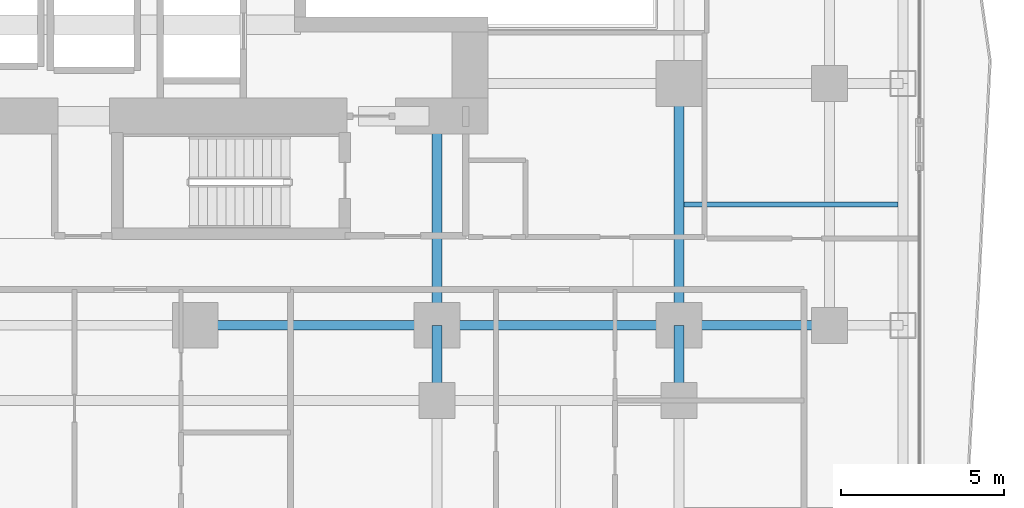
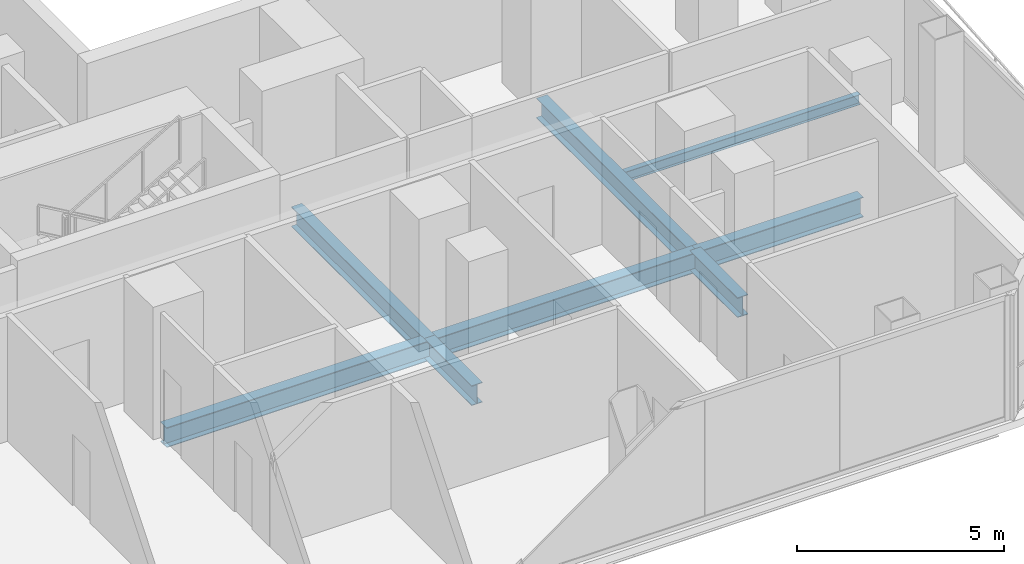
# One storey, part 9 of 29: 8 beams.
"""IFC4 building model written with IfcOpenShell, lengths in metres."""

import ifcopenshell
import ifcopenshell.guid

model = None  # the IFC model being written
_history = None  # IfcOwnerHistory: only IFC2X3 demands one
_inside = {}  # id of a spatial element -> (the spatial element, [elements in it])
_under = {}  # id of a project, library or spatial element -> (it, [spatial elements below it])
_declared = {}  # id of a project -> (the project, [libraries it declares])
_typed = {}  # id of a type object -> (the type object, [elements of that type])
_made_of = {}  # id of a material, layer set ... -> (it, [elements and type objects made of it])


def new_model(schema):
    """Start an empty IFC model of exactly this schema.

    Asked for "IFC4X3", IfcOpenShell would pick the latest addendum, in which some entities
    have other attributes; the version numbers below select the first issue.
    IFC2X3 requires an IfcOwnerHistory on every rooted entity: one is made here for all.
    """
    global model, _history
    if schema == "IFC4X3":
        model = ifcopenshell.file(schema_version=(4, 3, 0, 0))
    else:
        model = ifcopenshell.file(schema=schema)
    _inside.clear()
    _under.clear()
    _declared.clear()
    _typed.clear()
    _made_of.clear()
    _history = None
    if model.schema == "IFC2X3":
        org = make("IfcOrganization", Name="unknown")
        user = make(
            "IfcPersonAndOrganization",
            ThePerson=make("IfcPerson", FamilyName="unknown"),
            TheOrganization=org,
        )
        app = make(
            "IfcApplication",
            ApplicationDeveloper=org,
            Version="unknown",
            ApplicationFullName="unknown",
            ApplicationIdentifier="unknown",
        )
        _history = make(
            "IfcOwnerHistory",
            OwningUser=user,
            OwningApplication=app,
            ChangeAction="ADDED",
            CreationDate=0,
        )
    return model


def make(cls, **values):
    """One entity of the class cls with the attributes given. An attribute that is None is left unset."""
    return model.create_entity(
        cls, **{name: value for name, value in values.items() if value is not None}
    )


def rooted(cls, **values):
    """An entity with a GlobalId (a new one), such as an element, a storey or a relation."""
    return make(cls, GlobalId=ifcopenshell.guid.new(), OwnerHistory=_history, **values)


def si_unit(unit_type, name, prefix=None):
    """IfcSIUnit, for example si_unit("LENGTHUNIT", "METRE", prefix="MILLI")."""
    return make("IfcSIUnit", UnitType=unit_type, Prefix=prefix, Name=name)


def assignment(units):
    """IfcUnitAssignment: the units of a project."""
    return None if units is None else make("IfcUnitAssignment", Units=units)


def point(xyz):
    """IfcCartesianPoint."""
    return None if xyz is None else make("IfcCartesianPoint", Coordinates=xyz)


def direction(xyz):
    """IfcDirection."""
    return None if xyz is None else make("IfcDirection", DirectionRatios=xyz)


def frame(location, z_axis=None, x_axis=None):
    """IfcAxis2Placement3D, a coordinate frame: its origin and axes. An axis left out is left unset."""
    return make(
        "IfcAxis2Placement3D",
        Location=point(location),
        Axis=direction(z_axis),
        RefDirection=direction(x_axis),
    )


def frame_2d(location, x_axis=None):
    """IfcAxis2Placement2D, a coordinate frame in the plane: its origin and x axis."""
    return make(
        "IfcAxis2Placement2D", Location=point(location), RefDirection=direction(x_axis)
    )


def origin():
    """The frame at (0, 0, 0) with its axes left unset."""
    return frame((0.0, 0.0, 0.0))


def origin_2d():
    """The frame at (0, 0) in the plane with its x axis left unset."""
    return frame_2d((0.0, 0.0))


def place(relative_to, where):
    """IfcLocalPlacement: puts the frame where relative to a parent placement (None: the world)."""
    return make(
        "IfcLocalPlacement", PlacementRelTo=relative_to, RelativePlacement=where
    )


def context(
    kind, dimensions, precision=None, world=None, true_north=None, identifier=None
):
    """IfcGeometricRepresentationContext, for example the 3D "Model" context."""
    return make(
        "IfcGeometricRepresentationContext",
        ContextIdentifier=identifier,
        ContextType=kind,
        CoordinateSpaceDimension=dimensions,
        Precision=precision,
        WorldCoordinateSystem=world,
        TrueNorth=true_north,
    )


def subcontext(parent, identifier, kind, view, scale=None):
    """IfcGeometricRepresentationSubContext, for example "Body" below "Model"."""
    return make(
        "IfcGeometricRepresentationSubContext",
        ContextIdentifier=identifier,
        ContextType=kind,
        ParentContext=parent,
        TargetScale=scale,
        TargetView=view,
    )


def project(units=None, contexts=None):
    """IfcProject with its units and contexts."""
    return rooted(
        "IfcProject",
        Name="project",
        RepresentationContexts=contexts,
        UnitsInContext=assignment(units),
    )


def spatial(cls, under=None, at=None, **own):
    """A site, building, storey or space (cls), placed at a placement, below another one or the project."""
    s = rooted(cls, ObjectPlacement=at, **own)
    if under is not None:
        _under.setdefault(under.id(), (under, []))[1].append(s)
    return s


def profile(cls, at=None, kind="AREA", **sizes):
    """A parametric profile (cls). Its sizes go by their IFC names, for example OverallWidth=200.0."""
    return make(cls, ProfileType=kind, Position=at, **sizes)


def i_section(**sizes):
    """IfcIShapeProfileDef."""
    return profile("IfcIShapeProfileDef", **sizes)


def extrude(swept, where, along, depth):
    """IfcExtrudedAreaSolid: the profile swept, set in the frame where, extruded along a direction by depth."""
    return make(
        "IfcExtrudedAreaSolid",
        SweptArea=swept,
        Position=where,
        ExtrudedDirection=direction(along),
        Depth=depth,
    )


def shape(context_of_items, identifier, shape_type, items):
    """IfcShapeRepresentation: the items that make up one representation, for example the "Body"."""
    return make(
        "IfcShapeRepresentation",
        ContextOfItems=context_of_items,
        RepresentationIdentifier=identifier,
        RepresentationType=shape_type,
        Items=items,
    )


def material(Name=None, Category=None):
    """IfcMaterial."""
    return make("IfcMaterial", Name=Name, Category=Category)


def material_profile(
    of_material, cross_section, Name=None, Category=None, Priority=None
):
    """IfcMaterialProfile: a cross section and its material."""
    return make(
        "IfcMaterialProfile",
        Name=Name,
        Material=of_material,
        Profile=cross_section,
        Priority=Priority,
        Category=Category,
    )


def profile_set(profiles, Name=None, composite=None):
    """IfcMaterialProfileSet."""
    return make(
        "IfcMaterialProfileSet",
        Name=Name,
        MaterialProfiles=profiles,
        CompositeProfile=composite,
    )


def made_of(thing, what):
    """Note that an element or type object is made of a material, layer set ...; save() writes the relation."""
    if what is not None:
        _made_of.setdefault(what.id(), (what, []))[1].append(thing)
    return thing


def type_object(cls, material=None, **own):
    """A type object (cls), such as IfcWallType, which elements share."""
    return made_of(rooted(cls, **own), material)


def element(
    cls,
    number,
    at=None,
    inside=None,
    cuts=None,
    type_object=None,
    material=None,
    context=None,
    identifier="Body",
    shape_type=None,
    held_by="IfcProductDefinitionShape",
    body=None,
    shapes=None,
    **own,
):
    """One element of the class cls, such as IfcWall. Its Tag is "e" and its number.

    at: its placement. inside: the storey or other place that contains it. cuts: it is an
    opening in that element (IfcRelVoidsElement). A single representation is given by context,
    identifier, shape_type and body (its items); several are given by shapes. held_by: the class
    of the entity that holds the representations. save() writes the other relations.
    """
    e = rooted(cls, Tag="e%d" % number, ObjectPlacement=at, **own)
    if body is not None:
        shapes = [shape(context, identifier, shape_type, body)]
    if shapes is not None:
        e.Representation = make(held_by, Representations=shapes)
    if inside is not None:
        _inside.setdefault(inside.id(), (inside, []))[1].append(e)
    if cuts is not None:
        rooted(
            "IfcRelVoidsElement", RelatingBuildingElement=cuts, RelatedOpeningElement=e
        )
    if type_object is not None:
        _typed.setdefault(type_object.id(), (type_object, []))[1].append(e)
    return made_of(e, material)


def aggregate(whole, parts):
    """IfcRelAggregates: a whole, such as a stair, and the parts it consists of."""
    return rooted("IfcRelAggregates", RelatingObject=whole, RelatedObjects=parts)


def save(model, path):
    """Write the relations noted so far, then the file.

    IfcRelAggregates (storeys below a building ...), IfcRelContainedInSpatialStructure (elements
    in a storey), IfcRelDefinesByType, IfcRelAssociatesMaterial and IfcRelDeclares: one each for
    every whole, place, type object, material and project.
    """
    for whole, parts in _under.values():
        aggregate(whole, parts)
    for where, things in _inside.values():
        rooted(
            "IfcRelContainedInSpatialStructure",
            RelatedElements=things,
            RelatingStructure=where,
        )
    for kind, things in _typed.values():
        rooted("IfcRelDefinesByType", RelatedObjects=things, RelatingType=kind)
    for what, things in _made_of.values():
        rooted("IfcRelAssociatesMaterial", RelatedObjects=things, RelatingMaterial=what)
    for by, libraries in _declared.values():
        rooted("IfcRelDeclares", RelatingContext=by, RelatedDefinitions=libraries)
    model.write(path)


model = new_model("IFC4")

# Units and contexts
model_context = context("Model", 3, precision=1e-05, world=origin(), true_north=direction((0.0, 1.0)))
body_context = subcontext(model_context, "Body", "Model", "MODEL_VIEW")
ifc_project = project(units=[si_unit("LENGTHUNIT", "METRE"), si_unit("AREAUNIT", "SQUARE_METRE"), si_unit("VOLUMEUNIT", "CUBIC_METRE"), si_unit("PLANEANGLEUNIT", "RADIAN"), si_unit("MASSUNIT", "GRAM", prefix="KILO")], contexts=[model_context])

# Site, building, storey
site_placement = place(None, origin())
site = spatial("IfcSite", under=ifc_project, at=site_placement, CompositionType="ELEMENT")
building_placement = place(site_placement, origin())
building = spatial("IfcBuilding", under=site, at=building_placement, Name="Khorvyn Point Tower", CompositionType="ELEMENT")
storey_placement = place(building_placement, frame((0.0, 0.0, 69.60009765625)))
storey = spatial("IfcBuildingStorey", under=building, at=storey_placement, Name="L18", CompositionType="ELEMENT", Elevation=69.60009765625)

# Beams
ifc_material = material(Name="Steel S355", Category="steel")
ifc_material_profile_1 = material_profile(ifc_material, i_section(OverallWidth=0.300048828125, OverallDepth=0.587890625, WebThickness=0.011962890625, FlangeThickness=0.02001953125, at=origin_2d()))
ifc_profile_set_1 = profile_set([ifc_material_profile_1], Name="Steel S355 H588x300x12x20")
beam_type_1 = type_object("IfcBeamType", Name="Steel S355 Beam H588x300x12x20", PredefinedType="BEAM", material=ifc_profile_set_1)
beam_1_placement = place(storey_placement, frame((0.0, -14.800048828125, -0.51416015625), z_axis=(1.0, 0.0, 0.0), x_axis=(0.0, 1.0, 0.0)))
element("IfcBeam", 1, at=beam_1_placement, inside=storey, type_object=beam_type_1, Name="Beam", PredefinedType="BEAM", context=body_context, shape_type="SweptSolid", body=[
    extrude(i_section(OverallWidth=0.300048828125, OverallDepth=0.587890625, WebThickness=0.011962890625, FlangeThickness=0.02001953125, at=origin_2d()), origin(), (0.0, 0.0, 1.0), 7.39990234375),
])
beam_2_placement = place(storey_placement, frame((7.39990234375, -14.800048828125, -0.51416015625), z_axis=(1.0, 0.0, 0.0), x_axis=(0.0, 1.0, 0.0)))
element("IfcBeam", 2, at=beam_2_placement, inside=storey, type_object=beam_type_1, Name="Beam", PredefinedType="BEAM", context=body_context, shape_type="SweptSolid", body=[
    extrude(i_section(OverallWidth=0.300048828125, OverallDepth=0.587890625, WebThickness=0.011962890625, FlangeThickness=0.02001953125, at=origin_2d()), origin(), (0.0, 0.0, 1.0), 7.400146484375),
])
beam_3_placement = place(storey_placement, frame((14.800048828125, -14.800048828125, -0.51416015625), z_axis=(1.0, 0.0, 0.0), x_axis=(0.0, 1.0, 0.0)))
element("IfcBeam", 3, at=beam_3_placement, inside=storey, type_object=beam_type_1, Name="Beam", PredefinedType="BEAM", context=body_context, shape_type="SweptSolid", body=[
    extrude(i_section(OverallWidth=0.300048828125, OverallDepth=0.587890625, WebThickness=0.011962890625, FlangeThickness=0.02001953125, at=origin_2d()), origin(), (0.0, 0.0, 1.0), 4.599853515625),
])
beam_4_placement = place(storey_placement, frame((14.800048828125, -17.10009765625, -0.51416015625), z_axis=(0.0, 1.0, 0.0), x_axis=(-1.0, 0.0, 0.0)))
element("IfcBeam", 4, at=beam_4_placement, inside=storey, type_object=beam_type_1, Name="Beam", PredefinedType="BEAM", context=body_context, shape_type="SweptSolid", body=[
    extrude(i_section(OverallWidth=0.300048828125, OverallDepth=0.587890625, WebThickness=0.011962890625, FlangeThickness=0.02001953125, at=origin_2d()), origin(), (0.0, 0.0, 1.0), 2.300048828125),
])
beam_5_placement = place(storey_placement, frame((14.800048828125, -14.800048828125, -0.51416015625), z_axis=(0.0, 1.0, 0.0), x_axis=(-1.0, 0.0, 0.0)))
element("IfcBeam", 5, at=beam_5_placement, inside=storey, type_object=beam_type_1, Name="Beam", PredefinedType="BEAM", context=body_context, shape_type="SweptSolid", body=[
    extrude(i_section(OverallWidth=0.300048828125, OverallDepth=0.587890625, WebThickness=0.011962890625, FlangeThickness=0.02001953125, at=origin_2d()), origin(), (0.0, 0.0, 1.0), 7.400146484375),
])
beam_6_placement = place(storey_placement, frame((7.39990234375, -17.10009765625, -0.51416015625), z_axis=(0.0, 1.0, 0.0), x_axis=(-1.0, 0.0, 0.0)))
element("IfcBeam", 6, at=beam_6_placement, inside=storey, type_object=beam_type_1, Name="Beam", PredefinedType="BEAM", context=body_context, shape_type="SweptSolid", body=[
    extrude(i_section(OverallWidth=0.300048828125, OverallDepth=0.587890625, WebThickness=0.011962890625, FlangeThickness=0.02001953125, at=origin_2d()), origin(), (0.0, 0.0, 1.0), 2.300048828125),
])
beam_7_placement = place(storey_placement, frame((7.39990234375, -14.800048828125, -0.51416015625), z_axis=(0.0, 1.0, 0.0), x_axis=(-1.0, 0.0, 0.0)))
element("IfcBeam", 7, at=beam_7_placement, inside=storey, type_object=beam_type_1, Name="Beam", PredefinedType="BEAM", context=body_context, shape_type="SweptSolid", body=[
    extrude(i_section(OverallWidth=0.300048828125, OverallDepth=0.587890625, WebThickness=0.011962890625, FlangeThickness=0.02001953125, at=origin_2d()), origin(), (0.0, 0.0, 1.0), 6.400146484375),
])
ifc_material_profile_2 = material_profile(ifc_material, i_section(OverallWidth=0.14990234375, OverallDepth=0.300048828125, WebThickness=0.006591796875, FlangeThickness=0.009033203125, at=origin_2d()))
ifc_profile_set_2 = profile_set([ifc_material_profile_2], Name="Steel S355 H300x150x6.5x9")
beam_type_2 = type_object("IfcBeamType", Name="Steel S355 Joist H300x150x6.5x9", PredefinedType="JOIST", material=ifc_profile_set_2)
beam_8_placement = place(storey_placement, frame((14.949951171875, -11.10009765625, -0.3701171875), z_axis=(1.0, 0.0, 0.0), x_axis=(0.0, 1.0, 0.0)))
element("IfcBeam", 8, at=beam_8_placement, inside=storey, type_object=beam_type_2, Name="Beam", PredefinedType="JOIST", context=body_context, shape_type="SweptSolid", body=[
    extrude(i_section(OverallWidth=0.14990234375, OverallDepth=0.300048828125, WebThickness=0.006591796875, FlangeThickness=0.009033203125, at=origin_2d()), origin(), (0.0, 0.0, 1.0), 6.550048828125),
])

save(model, "model.ifc")
